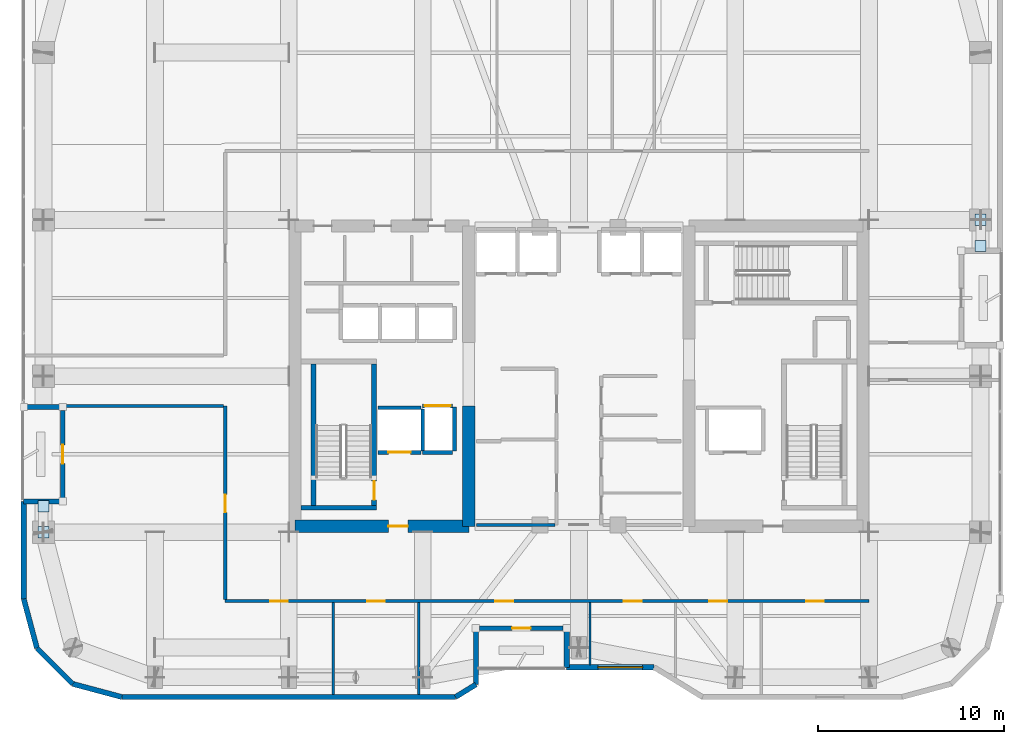
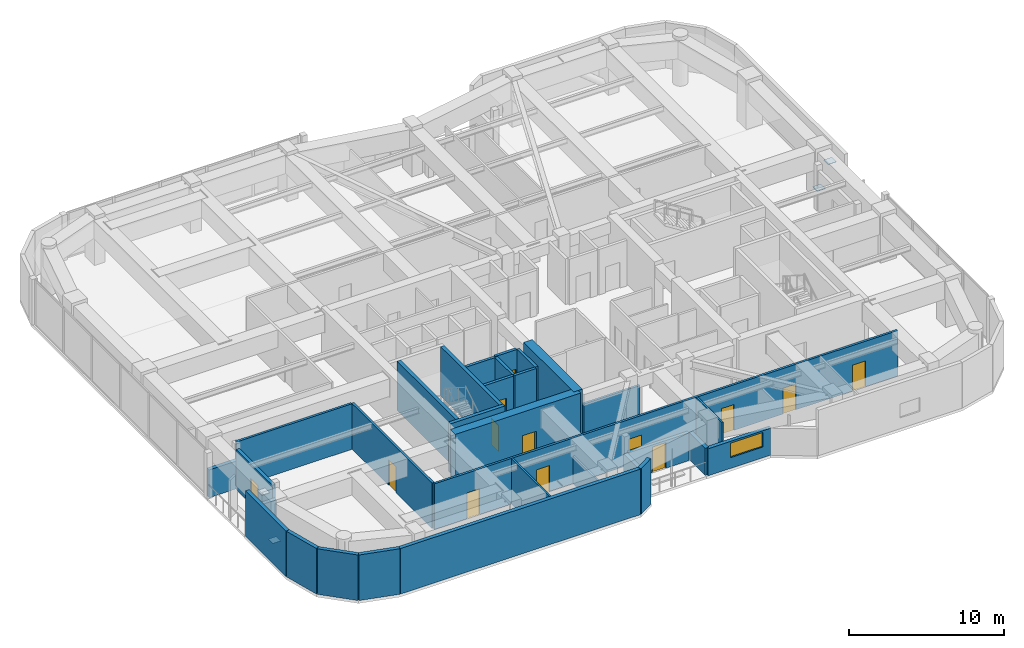
# One storey, part 24 of 30: 31 walls, 13 doors, 4 plates, 1 window, 14 openings.
"""IFC4 building model written with IfcOpenShell, lengths in metres."""

import ifcopenshell
import ifcopenshell.guid

model = None  # the IFC model being written
_history = None  # IfcOwnerHistory: only IFC2X3 demands one
_inside = {}  # id of a spatial element -> (the spatial element, [elements in it])
_under = {}  # id of a project, library or spatial element -> (it, [spatial elements below it])
_declared = {}  # id of a project -> (the project, [libraries it declares])
_typed = {}  # id of a type object -> (the type object, [elements of that type])
_made_of = {}  # id of a material, layer set ... -> (it, [elements and type objects made of it])


def new_model(schema):
    """Start an empty IFC model of exactly this schema.

    Asked for "IFC4X3", IfcOpenShell would pick the latest addendum, in which some entities
    have other attributes; the version numbers below select the first issue.
    IFC2X3 requires an IfcOwnerHistory on every rooted entity: one is made here for all.
    """
    global model, _history
    if schema == "IFC4X3":
        model = ifcopenshell.file(schema_version=(4, 3, 0, 0))
    else:
        model = ifcopenshell.file(schema=schema)
    _inside.clear()
    _under.clear()
    _declared.clear()
    _typed.clear()
    _made_of.clear()
    _history = None
    if model.schema == "IFC2X3":
        org = make("IfcOrganization", Name="unknown")
        user = make(
            "IfcPersonAndOrganization",
            ThePerson=make("IfcPerson", FamilyName="unknown"),
            TheOrganization=org,
        )
        app = make(
            "IfcApplication",
            ApplicationDeveloper=org,
            Version="unknown",
            ApplicationFullName="unknown",
            ApplicationIdentifier="unknown",
        )
        _history = make(
            "IfcOwnerHistory",
            OwningUser=user,
            OwningApplication=app,
            ChangeAction="ADDED",
            CreationDate=0,
        )
    return model


def make(cls, **values):
    """One entity of the class cls with the attributes given. An attribute that is None is left unset."""
    return model.create_entity(
        cls, **{name: value for name, value in values.items() if value is not None}
    )


def rooted(cls, **values):
    """An entity with a GlobalId (a new one), such as an element, a storey or a relation."""
    return make(cls, GlobalId=ifcopenshell.guid.new(), OwnerHistory=_history, **values)


def si_unit(unit_type, name, prefix=None):
    """IfcSIUnit, for example si_unit("LENGTHUNIT", "METRE", prefix="MILLI")."""
    return make("IfcSIUnit", UnitType=unit_type, Prefix=prefix, Name=name)


def assignment(units):
    """IfcUnitAssignment: the units of a project."""
    return None if units is None else make("IfcUnitAssignment", Units=units)


def point(xyz):
    """IfcCartesianPoint."""
    return None if xyz is None else make("IfcCartesianPoint", Coordinates=xyz)


def direction(xyz):
    """IfcDirection."""
    return None if xyz is None else make("IfcDirection", DirectionRatios=xyz)


def frame(location, z_axis=None, x_axis=None):
    """IfcAxis2Placement3D, a coordinate frame: its origin and axes. An axis left out is left unset."""
    return make(
        "IfcAxis2Placement3D",
        Location=point(location),
        Axis=direction(z_axis),
        RefDirection=direction(x_axis),
    )


def frame_2d(location, x_axis=None):
    """IfcAxis2Placement2D, a coordinate frame in the plane: its origin and x axis."""
    return make(
        "IfcAxis2Placement2D", Location=point(location), RefDirection=direction(x_axis)
    )


def origin():
    """The frame at (0, 0, 0) with its axes left unset."""
    return frame((0.0, 0.0, 0.0))


def origin_2d():
    """The frame at (0, 0) in the plane with its x axis left unset."""
    return frame_2d((0.0, 0.0))


def place(relative_to, where):
    """IfcLocalPlacement: puts the frame where relative to a parent placement (None: the world)."""
    return make(
        "IfcLocalPlacement", PlacementRelTo=relative_to, RelativePlacement=where
    )


def context(
    kind, dimensions, precision=None, world=None, true_north=None, identifier=None
):
    """IfcGeometricRepresentationContext, for example the 3D "Model" context."""
    return make(
        "IfcGeometricRepresentationContext",
        ContextIdentifier=identifier,
        ContextType=kind,
        CoordinateSpaceDimension=dimensions,
        Precision=precision,
        WorldCoordinateSystem=world,
        TrueNorth=true_north,
    )


def subcontext(parent, identifier, kind, view, scale=None):
    """IfcGeometricRepresentationSubContext, for example "Body" below "Model"."""
    return make(
        "IfcGeometricRepresentationSubContext",
        ContextIdentifier=identifier,
        ContextType=kind,
        ParentContext=parent,
        TargetScale=scale,
        TargetView=view,
    )


def project(units=None, contexts=None):
    """IfcProject with its units and contexts."""
    return rooted(
        "IfcProject",
        Name="project",
        RepresentationContexts=contexts,
        UnitsInContext=assignment(units),
    )


def spatial(cls, under=None, at=None, **own):
    """A site, building, storey or space (cls), placed at a placement, below another one or the project."""
    s = rooted(cls, ObjectPlacement=at, **own)
    if under is not None:
        _under.setdefault(under.id(), (under, []))[1].append(s)
    return s


def profile(cls, at=None, kind="AREA", **sizes):
    """A parametric profile (cls). Its sizes go by their IFC names, for example OverallWidth=200.0."""
    return make(cls, ProfileType=kind, Position=at, **sizes)


def rectangle(**sizes):
    """IfcRectangleProfileDef."""
    return profile("IfcRectangleProfileDef", **sizes)


def extrude(swept, where, along, depth):
    """IfcExtrudedAreaSolid: the profile swept, set in the frame where, extruded along a direction by depth."""
    return make(
        "IfcExtrudedAreaSolid",
        SweptArea=swept,
        Position=where,
        ExtrudedDirection=direction(along),
        Depth=depth,
    )


def shape(context_of_items, identifier, shape_type, items):
    """IfcShapeRepresentation: the items that make up one representation, for example the "Body"."""
    return make(
        "IfcShapeRepresentation",
        ContextOfItems=context_of_items,
        RepresentationIdentifier=identifier,
        RepresentationType=shape_type,
        Items=items,
    )


def material(Name=None, Category=None):
    """IfcMaterial."""
    return make("IfcMaterial", Name=Name, Category=Category)


def layer(
    of_material, thickness, ventilated=None, Name=None, Category=None, Priority=None
):
    """IfcMaterialLayer: one layer of a wall or slab, of a material (None: an air gap)."""
    return make(
        "IfcMaterialLayer",
        Material=of_material,
        LayerThickness=thickness,
        IsVentilated=ventilated,
        Name=Name,
        Category=Category,
        Priority=Priority,
    )


def layer_set(layers, Name=None):
    """IfcMaterialLayerSet."""
    return make("IfcMaterialLayerSet", MaterialLayers=layers, LayerSetName=Name)


def made_of(thing, what):
    """Note that an element or type object is made of a material, layer set ...; save() writes the relation."""
    if what is not None:
        _made_of.setdefault(what.id(), (what, []))[1].append(thing)
    return thing


def type_object(cls, material=None, **own):
    """A type object (cls), such as IfcWallType, which elements share."""
    return made_of(rooted(cls, **own), material)


def element(
    cls,
    number,
    at=None,
    inside=None,
    cuts=None,
    type_object=None,
    material=None,
    context=None,
    identifier="Body",
    shape_type=None,
    held_by="IfcProductDefinitionShape",
    body=None,
    shapes=None,
    **own,
):
    """One element of the class cls, such as IfcWall. Its Tag is "e" and its number.

    at: its placement. inside: the storey or other place that contains it. cuts: it is an
    opening in that element (IfcRelVoidsElement). A single representation is given by context,
    identifier, shape_type and body (its items); several are given by shapes. held_by: the class
    of the entity that holds the representations. save() writes the other relations.
    """
    e = rooted(cls, Tag="e%d" % number, ObjectPlacement=at, **own)
    if body is not None:
        shapes = [shape(context, identifier, shape_type, body)]
    if shapes is not None:
        e.Representation = make(held_by, Representations=shapes)
    if inside is not None:
        _inside.setdefault(inside.id(), (inside, []))[1].append(e)
    if cuts is not None:
        rooted(
            "IfcRelVoidsElement", RelatingBuildingElement=cuts, RelatedOpeningElement=e
        )
    if type_object is not None:
        _typed.setdefault(type_object.id(), (type_object, []))[1].append(e)
    return made_of(e, material)


def fill(opening, filler):
    """IfcRelFillsElement: the door or window that sits in an opening."""
    return rooted(
        "IfcRelFillsElement",
        RelatingOpeningElement=opening,
        RelatedBuildingElement=filler,
    )


def aggregate(whole, parts):
    """IfcRelAggregates: a whole, such as a stair, and the parts it consists of."""
    return rooted("IfcRelAggregates", RelatingObject=whole, RelatedObjects=parts)


def save(model, path):
    """Write the relations noted so far, then the file.

    IfcRelAggregates (storeys below a building ...), IfcRelContainedInSpatialStructure (elements
    in a storey), IfcRelDefinesByType, IfcRelAssociatesMaterial and IfcRelDeclares: one each for
    every whole, place, type object, material and project.
    """
    for whole, parts in _under.values():
        aggregate(whole, parts)
    for where, things in _inside.values():
        rooted(
            "IfcRelContainedInSpatialStructure",
            RelatedElements=things,
            RelatingStructure=where,
        )
    for kind, things in _typed.values():
        rooted("IfcRelDefinesByType", RelatedObjects=things, RelatingType=kind)
    for what, things in _made_of.values():
        rooted("IfcRelAssociatesMaterial", RelatedObjects=things, RelatingMaterial=what)
    for by, libraries in _declared.values():
        rooted("IfcRelDeclares", RelatingContext=by, RelatedDefinitions=libraries)
    model.write(path)


model = new_model("IFC4")

# Units and contexts
model_context = context("Model", 3, precision=1e-05, world=origin(), true_north=direction((0.0, 1.0)))
body_context = subcontext(model_context, "Body", "Model", "MODEL_VIEW")
ifc_project = project(units=[si_unit("LENGTHUNIT", "METRE"), si_unit("AREAUNIT", "SQUARE_METRE"), si_unit("VOLUMEUNIT", "CUBIC_METRE"), si_unit("PLANEANGLEUNIT", "RADIAN"), si_unit("MASSUNIT", "GRAM", prefix="KILO")], contexts=[model_context])

# Site, building, storey
site_placement = place(None, origin())
site = spatial("IfcSite", under=ifc_project, at=site_placement, CompositionType="ELEMENT")
building_placement = place(site_placement, origin())
building = spatial("IfcBuilding", under=site, at=building_placement, Name="Kiyonajd Concourse Tower", CompositionType="ELEMENT")
storey_placement = place(building_placement, frame((0.0, 0.0, 205.800048828125)))
storey = spatial("IfcBuildingStorey", under=building, at=storey_placement, Name="L52", CompositionType="ELEMENT", Elevation=205.800048828125)

# Plates
ifc_material_1 = material(Name="Steel ASTM A572 Grade 50", Category="steel")
ifc_layer_1 = layer(ifc_material_1, 0.028076171875)
ifc_layer_set_1 = layer_set([ifc_layer_1], Name="Steel ASTM A572 Grade 50")
plate_type = type_object("IfcPlateType", Name="PL-CAP-450", PredefinedType="USERDEFINED", material=ifc_layer_set_1)
for number, where, z_axis, x_axis, name in (
    (1, (19.199951171875, 27.59521484375, 0.27587890625), (0.0, 0.0, 1.0), (1.0, 0.0, 0.0), "L52 Hollow Brace End Cap Plate PBW"),
    (2, (19.199951171875, 29.004638671875, 3.24560546875), (0.0, 0.0, 1.0), (1.0, 0.0, 0.0), "L52 Hollow Brace Top Cap Plate PBW"),
    (3, (69.60009765625, 44.40478515625, 0.27587890625), (0.0, 0.0, 1.0), (1.0, 0.0, 0.0), "L52 Hollow Brace End Cap Plate PBE"),
    (4, (69.60009765625, 42.995361328125, 3.24560546875), (0.0, 0.0, 1.0), (1.0, 0.0, 0.0), "L52 Hollow Brace Top Cap Plate PBE"),
):
    element("IfcPlate", number, at=place(storey_placement, frame(where, z_axis=z_axis, x_axis=x_axis)), inside=storey, type_object=plate_type, Name=name, ObjectType="CAP PLATE", PredefinedType="USERDEFINED", context=body_context, shape_type="SweptSolid", body=[
        extrude(rectangle(XDim=0.60791015625, YDim=0.60791015625, at=origin_2d()), origin(), (0.0, 0.0, 1.0), 0.028076171875),
    ])

# Wall
ifc_material_2 = material(Name="Concrete C60/75", Category="concrete")
ifc_layer_2 = layer(ifc_material_2, 0.64990234375)
ifc_layer_set_2 = layer_set([ifc_layer_2], Name="Concrete C60/75")
wall_type_1 = type_object("IfcWallType", Name="WL-CORE-650", PredefinedType="SHEAR", material=ifc_layer_set_2)
wall_1_placement = place(storey_placement, frame((42.074951171875, 27.925048828125, 0.0), z_axis=(0.0, 0.0, 1.0), x_axis=(0.0, 1.0, 0.0)))
element("IfcWall", 5, at=wall_1_placement, inside=storey, type_object=wall_type_1, Name="L52 West Core Inner South Shear Wall", PredefinedType="SHEAR", context=body_context, shape_type="SweptSolid", body=[
    extrude(rectangle(XDim=6.474853515625, YDim=0.64990234375, at=frame_2d((3.2373046875, 0.0))), origin(), (0.0, 0.0, 1.0), 3.89990234375),
])

# Wall, opening, door
wall_2_placement = place(storey_placement, frame((32.72509765625, 27.925048828125, 0.0), z_axis=(0.0, 0.0, 1.0), x_axis=(1.0, 0.0, 0.0)))
wall_2 = element("IfcWall", 6, at=wall_2_placement, inside=storey, type_object=wall_type_1, Name="L52 West Core South Shear Wall", PredefinedType="SHEAR", context=body_context, shape_type="SweptSolid", body=[
    extrude(rectangle(XDim=9.349853515625, YDim=0.64990234375, at=frame_2d((4.6748046875, 0.0))), origin(), (0.0, 0.0, 1.0), 3.89990234375),
])
opening_1_placement = place(wall_2_placement, frame((5.02490234375, 0.0, 0.0)))
opening_1 = element("IfcOpeningElement", 7, at=opening_1_placement, cuts=wall_2, Name="Opening DF5", PredefinedType="OPENING", context=body_context, shape_type="SweptSolid", body=[
    extrude(rectangle(XDim=1.050048828125, YDim=2.0400390625, at=frame_2d((0.52490234375, 1.02001953125))), frame((0.0, 0.3349609375, 0.0), z_axis=(0.0, -1.0, 0.0), x_axis=(1.0, 0.0, 0.0)), (0.0, 0.0, 1.0), 0.669921875),
])
ifc_material_3 = material(Name="Brushed Stainless Steel Cab Assembly", Category="steel")
door_type_1 = type_object("IfcDoorType", Name="DR-FD45-1050", OperationType="NOTDEFINED", PredefinedType="DOOR", material=ifc_material_3)
door_1_placement = place(opening_1_placement, origin())
door_1 = element("IfcDoor", 8, at=door_1_placement, inside=storey, type_object=door_type_1, Name="L52 Firefighting Lift Lobby W Smoke Door", OperationType="SINGLE_SWING_LEFT", OverallHeight=2.0400390625, OverallWidth=1.050048828125, PredefinedType="DOOR", context=body_context, shape_type="SweptSolid", body=[
    extrude(rectangle(XDim=1.050048828125, YDim=2.0400390625, at=frame_2d((0.52490234375, 1.02001953125))), frame((0.0, 0.02490234375, 0.0), z_axis=(0.0, -1.0, 0.0), x_axis=(1.0, 0.0, 0.0)), (0.0, 0.0, 1.0), 0.050048828125),
])
fill(opening_1, door_1)

# Walls
ifc_material_4 = material(Name="Precast concrete C50/60", Category="concrete")
ifc_layer_3 = layer(ifc_material_4, 0.280029296875)
ifc_layer_set_3 = layer_set([ifc_layer_3], Name="Precast concrete C50/60")
wall_type_2 = type_object("IfcWallType", Name="WL-EXT-280", PredefinedType="SOLIDWALL", material=ifc_layer_set_3)
wall_3_placement = place(storey_placement, frame((18.848388671875, 21.37255859375, 0.0), z_axis=(0.0, 0.0, 1.0), x_axis=(-0.258672222976, 0.9659651552, 0.0)))
element("IfcWall", 9, at=wall_3_placement, inside=storey, type_object=wall_type_2, Name="L52 Exterior Concrete Frame Wall 00", PredefinedType="SOLIDWALL", context=body_context, shape_type="SweptSolid", body=[
    extrude(rectangle(XDim=2.739013671875, YDim=0.280029296875, at=frame_2d((1.36962890625, 0.0))), origin(), (0.0, 0.0, 1.0), 3.599853515625),
])
wall_4_placement = place(storey_placement, frame((18.139892578125, 24.018310546875, 0.0), z_axis=(0.0, 0.0, 1.0), x_axis=(0.0, 1.0, 0.0)))
element("IfcWall", 10, at=wall_4_placement, inside=storey, type_object=wall_type_2, Name="L52 Exterior Concrete Frame Wall 01", PredefinedType="SOLIDWALL", context=body_context, shape_type="SweptSolid", body=[
    extrude(rectangle(XDim=5.24169921875, YDim=0.280029296875, at=frame_2d((2.620849609375, 0.0))), origin(), (0.0, 0.0, 1.0), 3.599853515625),
])
for number, where, z_axis, x_axis, name in (
    (11, (18.139892578125, 29.260009765625, 0.0), (0.0, 0.0, 1.0), (1.0, 0.0, 0.0), "L52 Exterior Concrete Frame Wall 02"),
    (12, (20.239990234375, 34.340087890625, 0.0), (0.0, 0.0, 1.0), (-1.0, 0.0, 0.0), "L52 Exterior Concrete Frame Wall 04"),
):
    element("IfcWall", number, at=place(storey_placement, frame(where, z_axis=z_axis, x_axis=x_axis)), inside=storey, type_object=wall_type_2, Name=name, PredefinedType="SOLIDWALL", context=body_context, shape_type="SweptSolid", body=[
        extrude(rectangle(XDim=2.10009765625, YDim=0.280029296875, at=frame_2d((1.050048828125, 0.0))), origin(), (0.0, 0.0, 1.0), 2.195068359375),
    ])

# Wall, opening, window
wall_5_placement = place(storey_placement, frame((52.03955078125, 20.340087890625, 0.0), z_axis=(0.0, 0.0, 1.0), x_axis=(-1.0, 0.0, 0.0)))
wall_5 = element("IfcWall", 13, at=wall_5_placement, inside=storey, type_object=wall_type_2, Name="L52 Exterior Concrete Frame Wall 30", PredefinedType="SOLIDWALL", context=body_context, shape_type="SweptSolid", body=[
    extrude(rectangle(XDim=4.699462890625, YDim=0.280029296875, at=frame_2d((2.349609375, 0.0))), origin(), (0.0, 0.0, 1.0), 2.135009765625),
])
opening_2_placement = place(wall_5_placement, frame((0.6201171875, 0.0, 0.85009765625)))
opening_2 = element("IfcOpeningElement", 14, at=opening_2_placement, cuts=wall_5, Name="Opening WN4", PredefinedType="OPENING", context=body_context, shape_type="SweptSolid", body=[
    extrude(rectangle(XDim=2.39990234375, YDim=1.14990234375, at=frame_2d((1.199951171875, 0.574951171875))), frame((0.0, 0.14990234375, 0.0), z_axis=(0.0, -1.0, 0.0), x_axis=(1.0, 0.0, 0.0)), (0.0, 0.0, 1.0), 0.300048828125),
])
ifc_material_5 = material(Name="Double Low-E Insulated Glass", Category="glass")
window_type = type_object("IfcWindowType", Name="WN-VIS-2400x1150", PartitioningType="SINGLE_PANEL", PredefinedType="WINDOW", material=ifc_material_5)
window_placement = place(opening_2_placement, origin())
window = element("IfcWindow", 15, at=window_placement, inside=storey, type_object=window_type, Name="L52 Modular Facade Vision Window 30", OverallHeight=1.14990234375, OverallWidth=2.39990234375, PartitioningType="SINGLE_PANEL", PredefinedType="WINDOW", context=body_context, shape_type="SweptSolid", body=[
    extrude(rectangle(XDim=2.39990234375, YDim=1.14990234375, at=frame_2d((1.199951171875, 0.574951171875))), frame((0.0, 0.030029296875, 0.0), z_axis=(0.0, -1.0, 0.0), x_axis=(1.0, 0.0, 0.0)), (0.0, 0.0, 1.0), 0.06005859375),
])
fill(opening_2, window)

# Walls
wall_6_placement = place(storey_placement, frame((47.340087890625, 20.340087890625, 0.0), z_axis=(0.0, 0.0, 1.0), x_axis=(0.0, 1.0, 0.0)))
element("IfcWall", 16, at=wall_6_placement, inside=storey, type_object=wall_type_2, Name="L52 Exterior Concrete Frame Wall 31", PredefinedType="SOLIDWALL", context=body_context, shape_type="SweptSolid", body=[
    extrude(rectangle(XDim=2.099853515625, YDim=0.280029296875, at=frame_2d((1.0498046875, 0.0))), origin(), (0.0, 0.0, 1.0), 2.135009765625),
])
wall_7_placement = place(storey_placement, frame((42.4599609375, 22.43994140625, 0.0), z_axis=(0.0, 0.0, 1.0), x_axis=(0.0, -1.0, 0.0)))
element("IfcWall", 17, at=wall_7_placement, inside=storey, type_object=wall_type_2, Name="L52 Exterior Concrete Frame Wall 33", PredefinedType="SOLIDWALL", context=body_context, shape_type="SweptSolid", body=[
    extrude(rectangle(XDim=3.023681640625, YDim=0.280029296875, at=frame_2d((1.51171875, 0.0))), origin(), (0.0, 0.0, 1.0), 2.135009765625),
])
wall_8_placement = place(storey_placement, frame((42.4599609375, 19.416259765625, 0.0), z_axis=(0.0, 0.0, 1.0), x_axis=(-0.851801140441, -0.523865266212, 0.0)))
element("IfcWall", 18, at=wall_8_placement, inside=storey, type_object=wall_type_2, Name="L52 Exterior Concrete Frame Wall 34", PredefinedType="SOLIDWALL", context=body_context, shape_type="SweptSolid", body=[
    extrude(rectangle(XDim=1.291015625, YDim=0.280029296875, at=frame_2d((0.6455078125, 0.0))), origin(), (0.0, 0.0, 1.0), 3.599853515625),
])
wall_9_placement = place(storey_placement, frame((41.3603515625, 18.739990234375, 0.0), z_axis=(0.0, 0.0, 1.0), x_axis=(-1.0, 0.0, 0.0)))
element("IfcWall", 19, at=wall_9_placement, inside=storey, type_object=wall_type_2, Name="L52 Exterior Concrete Frame Wall 35", PredefinedType="SOLIDWALL", context=body_context, shape_type="SweptSolid", body=[
    extrude(rectangle(XDim=17.94189453125, YDim=0.280029296875, at=frame_2d((8.970947265625, 0.0))), origin(), (0.0, 0.0, 1.0), 3.599853515625),
])
wall_10_placement = place(storey_placement, frame((23.41845703125, 18.739990234375, 0.0), z_axis=(0.0, 0.0, 1.0), x_axis=(-0.965971118627, 0.258649952598, 0.0)))
element("IfcWall", 20, at=wall_10_placement, inside=storey, type_object=wall_type_2, Name="L52 Exterior Concrete Frame Wall 36", PredefinedType="SOLIDWALL", context=body_context, shape_type="SweptSolid", body=[
    extrude(rectangle(XDim=2.7392578125, YDim=0.280029296875, at=frame_2d((1.36962890625, 0.0))), origin(), (0.0, 0.0, 1.0), 3.599853515625),
])
wall_11_placement = place(storey_placement, frame((20.7724609375, 19.448486328125, 0.0), z_axis=(0.0, 0.0, 1.0), x_axis=(-0.707106781187, 0.707106781187, 0.0)))
element("IfcWall", 21, at=wall_11_placement, inside=storey, type_object=wall_type_2, Name="L52 Exterior Concrete Frame Wall 37", PredefinedType="SOLIDWALL", context=body_context, shape_type="SweptSolid", body=[
    extrude(rectangle(XDim=2.720947265625, YDim=0.280029296875, at=frame_2d((1.3603515625, 0.0))), origin(), (0.0, 0.0, 1.0), 3.599853515625),
])

# Wall, opening, door
ifc_layer_4 = layer(ifc_material_4, 0.239990234375)
ifc_layer_set_4 = layer_set([ifc_layer_4], Name="Precast concrete C50/60")
wall_type_3 = type_object("IfcWallType", Name="WL-LOG-240", PredefinedType="SOLIDWALL", material=ifc_layer_set_4)
wall_12_placement = place(storey_placement, frame((20.239990234375, 29.455078125, 0.0), z_axis=(0.0, 0.0, 1.0), x_axis=(0.0, 1.0, 0.0)))
wall_12 = element("IfcWall", 22, at=wall_12_placement, inside=storey, type_object=wall_type_3, Name="L52 Recessed Loggia Thermal Wall LOG-W", PredefinedType="SOLIDWALL", context=body_context, shape_type="SweptSolid", body=[
    extrude(rectangle(XDim=4.68994140625, YDim=0.239990234375, at=frame_2d((2.344970703125, 0.0))), origin(), (0.0, 0.0, 1.0), 3.16796875),
])
opening_3_placement = place(wall_12_placement, frame((1.844970703125, 0.0, 0.0)))
opening_3 = element("IfcOpeningElement", 23, at=opening_3_placement, cuts=wall_12, Name="Opening DL1", PredefinedType="OPENING", context=body_context, shape_type="SweptSolid", body=[
    extrude(rectangle(XDim=1.0, YDim=2.02001953125, at=frame_2d((0.5, 1.010009765625))), frame((0.0, 0.1298828125, 0.0), z_axis=(0.0, -1.0, 0.0), x_axis=(1.0, 0.0, 0.0)), (0.0, 0.0, 1.0), 0.260009765625),
])
ifc_material_6 = material(Name="Thermally Broken Anodised Aluminium", Category="aluminium")
door_type_2 = type_object("IfcDoorType", Name="DR-LOG-1000", OperationType="NOTDEFINED", PredefinedType="DOOR", material=ifc_material_6)
door_2_placement = place(opening_3_placement, origin())
door_2 = element("IfcDoor", 24, at=door_2_placement, inside=storey, type_object=door_type_2, Name="L52 Engawa Loggia Access Door LOG-W", OperationType="SINGLE_SWING_LEFT", OverallHeight=2.02001953125, OverallWidth=1.0, PredefinedType="DOOR", context=body_context, shape_type="SweptSolid", body=[
    extrude(rectangle(XDim=1.0, YDim=2.02001953125, at=frame_2d((0.5, 1.010009765625))), frame((0.0, 0.02490234375, 0.0), z_axis=(0.0, -1.0, 0.0), x_axis=(1.0, 0.0, 0.0)), (0.0, 0.0, 1.0), 0.050048828125),
])
fill(opening_3, door_2)

wall_13_placement = place(storey_placement, frame((47.14501953125, 22.43994140625, 0.0), z_axis=(0.0, 0.0, 1.0), x_axis=(-1.0, 0.0, 0.0)))
wall_13 = element("IfcWall", 25, at=wall_13_placement, inside=storey, type_object=wall_type_3, Name="L52 Recessed Loggia Thermal Wall LOG-S", PredefinedType="SOLIDWALL", context=body_context, shape_type="SweptSolid", body=[
    extrude(rectangle(XDim=4.489990234375, YDim=0.239990234375, at=frame_2d((2.2451171875, 0.0))), origin(), (0.0, 0.0, 1.0), 2.18505859375),
])
opening_4_placement = place(wall_13_placement, frame((1.7451171875, 0.0, 0.0)))
opening_4 = element("IfcOpeningElement", 26, at=opening_4_placement, cuts=wall_13, Name="Opening DL1", PredefinedType="OPENING", context=body_context, shape_type="SweptSolid", body=[
    extrude(rectangle(XDim=1.0, YDim=2.02001953125, at=frame_2d((0.5, 1.010009765625))), frame((0.0, 0.1298828125, 0.0), z_axis=(0.0, -1.0, 0.0), x_axis=(1.0, 0.0, 0.0)), (0.0, 0.0, 1.0), 0.260009765625),
])
door_3_placement = place(opening_4_placement, origin())
door_3 = element("IfcDoor", 27, at=door_3_placement, inside=storey, type_object=door_type_2, Name="L52 Engawa Loggia Access Door LOG-S", OperationType="SINGLE_SWING_RIGHT", OverallHeight=2.02001953125, OverallWidth=1.0, PredefinedType="DOOR", context=body_context, shape_type="SweptSolid", body=[
    extrude(rectangle(XDim=1.0, YDim=2.02001953125, at=frame_2d((0.5, 1.010009765625))), frame((0.0, 0.02490234375, 0.0), z_axis=(0.0, -1.0, 0.0), x_axis=(1.0, 0.0, 0.0)), (0.0, 0.0, 1.0), 0.050048828125),
])
fill(opening_4, door_3)

# Walls
ifc_material_7 = material(Name="Gypsum Board on Cold-Formed Steel Stud", Category="steel")
ifc_layer_5 = layer(ifc_material_7, 0.125)
ifc_layer_set_5 = layer_set([ifc_layer_5], Name="Gypsum Board on Cold-Formed Steel Stud")
wall_type_4 = type_object("IfcWallType", Name="WL-PART-125", PredefinedType="PARTITIONING", material=ifc_layer_set_5)
wall_14_placement = place(storey_placement, frame((34.780029296875, 18.875, 0.0), z_axis=(0.0, 0.0, 1.0), x_axis=(0.0, 1.0, 0.0)))
element("IfcWall", 28, at=wall_14_placement, inside=storey, type_object=wall_type_4, Name="L52 Interior Partition Wall", PredefinedType="PARTITIONING", context=body_context, shape_type="SweptSolid", body=[
    extrude(rectangle(XDim=4.93798828125, YDim=0.125, at=frame_2d((2.468994140625, 0.0))), origin(), (0.0, 0.0, 1.0), 3.599853515625),
])
wall_15_placement = place(storey_placement, frame((39.3798828125, 18.875, 0.0), z_axis=(0.0, 0.0, 1.0), x_axis=(0.0, 1.0, 0.0)))
element("IfcWall", 29, at=wall_15_placement, inside=storey, type_object=wall_type_4, Name="L52 Interior Partition Wall", PredefinedType="PARTITIONING", context=body_context, shape_type="SweptSolid", body=[
    extrude(rectangle(XDim=4.93798828125, YDim=0.125, at=frame_2d((2.468994140625, 0.0))), origin(), (0.0, 0.0, 1.0), 2.18505859375),
])
wall_16_placement = place(storey_placement, frame((48.590087890625, 20.47509765625, 0.0), z_axis=(0.0, 0.0, 1.0), x_axis=(0.0, 1.0, 0.0)))
element("IfcWall", 30, at=wall_16_placement, inside=storey, type_object=wall_type_4, Name="L52 Interior Partition Wall", PredefinedType="PARTITIONING", context=body_context, shape_type="SweptSolid", body=[
    extrude(rectangle(XDim=3.337890625, YDim=0.125, at=frame_2d((1.6689453125, 0.0))), origin(), (0.0, 0.0, 1.0), 3.599853515625),
])

# Wall, opening, door
ifc_layer_6 = layer(ifc_material_7, 0.2099609375)
ifc_layer_set_6 = layer_set([ifc_layer_6], Name="Gypsum Board on Cold-Formed Steel Stud")
wall_type_5 = type_object("IfcWallType", Name="WL-SHAFT-210", PredefinedType="PARTITIONING", material=ifc_layer_set_6)
wall_17_placement = place(storey_placement, frame((37.199951171875, 31.89990234375, 0.0), z_axis=(0.0, 0.0, 1.0), x_axis=(1.0, 0.0, 0.0)))
wall_17 = element("IfcWall", 31, at=wall_17_placement, inside=storey, type_object=wall_type_5, Name="L52 Shaft Enclosure Wall", PredefinedType="PARTITIONING", context=body_context, shape_type="SweptSolid", body=[
    extrude(rectangle(XDim=2.300048828125, YDim=0.2099609375, at=frame_2d((1.14990234375, 0.0))), origin(), (0.0, 0.0, 1.0), 3.599853515625),
])
opening_5_placement = place(wall_17_placement, frame((0.550048828125, 0.0, 0.0)))
opening_5 = element("IfcOpeningElement", 32, at=opening_5_placement, cuts=wall_17, Name="Opening LD2", PredefinedType="OPENING", context=body_context, shape_type="SweptSolid", body=[
    extrude(rectangle(XDim=1.199951171875, YDim=2.0400390625, at=frame_2d((0.60009765625, 1.02001953125))), frame((0.0, 0.114990234375, 0.0), z_axis=(0.0, -1.0, 0.0), x_axis=(1.0, 0.0, 0.0)), (0.0, 0.0, 1.0), 0.22998046875),
])
door_type_3 = type_object("IfcDoorType", Name="DR-LD-1200", OperationType="DOUBLE_DOOR_SLIDING", PredefinedType="DOOR", material=ifc_material_3)
door_4_placement = place(opening_5_placement, origin())
door_4 = element("IfcDoor", 33, at=door_4_placement, inside=storey, type_object=door_type_3, Name="L52 Lift FFL1 Sliding Landing Door", OperationType="DOUBLE_DOOR_SLIDING", OverallHeight=2.0400390625, OverallWidth=1.199951171875, PredefinedType="DOOR", context=body_context, shape_type="SweptSolid", body=[
    extrude(rectangle(XDim=1.199951171875, YDim=2.0400390625, at=frame_2d((0.60009765625, 1.02001953125))), frame((0.0, 0.02490234375, 0.0), z_axis=(0.0, -1.0, 0.0), x_axis=(1.0, 0.0, 0.0)), (0.0, 0.0, 1.0), 0.050048828125),
])
fill(opening_5, door_4)

# Walls
wall_18_placement = place(storey_placement, frame((37.199951171875, 34.300048828125, 0.0), z_axis=(0.0, 0.0, 1.0), x_axis=(1.0, 0.0, 0.0)))
element("IfcWall", 34, at=wall_18_placement, inside=storey, type_object=wall_type_5, Name="L52 Shaft Enclosure Wall", PredefinedType="PARTITIONING", context=body_context, shape_type="SweptSolid", body=[
    extrude(rectangle(XDim=2.300048828125, YDim=0.2099609375, at=frame_2d((1.14990234375, 0.0))), origin(), (0.0, 0.0, 1.0), 3.599853515625),
])
wall_19_placement = place(storey_placement, frame((39.60009765625, 31.9599609375, 0.0), z_axis=(0.0, 0.0, 1.0), x_axis=(0.0, 1.0, 0.0)))
element("IfcWall", 35, at=wall_19_placement, inside=storey, type_object=wall_type_5, Name="L52 Shaft Enclosure Wall", PredefinedType="PARTITIONING", context=body_context, shape_type="SweptSolid", body=[
    extrude(rectangle(XDim=2.280029296875, YDim=0.2099609375, at=frame_2d((1.14013671875, 0.0))), origin(), (0.0, 0.0, 1.0), 3.599853515625),
])

# Wall, opening, door
wall_20_placement = place(storey_placement, frame((39.60009765625, 34.39990234375, 0.0), z_axis=(0.0, 0.0, 1.0), x_axis=(1.0, 0.0, 0.0)))
wall_20 = element("IfcWall", 36, at=wall_20_placement, inside=storey, type_object=wall_type_5, Name="L52 Shaft Enclosure Wall", PredefinedType="PARTITIONING", context=body_context, shape_type="SweptSolid", body=[
    extrude(rectangle(XDim=1.599853515625, YDim=0.2099609375, at=frame_2d((0.7998046875, 0.0))), origin(), (0.0, 0.0, 1.0), 3.599853515625),
])
opening_6_placement = place(wall_20_placement, frame((0.10009765625, 0.0, 0.0)))
opening_6 = element("IfcOpeningElement", 37, at=opening_6_placement, cuts=wall_20, Name="Opening LD3", PredefinedType="OPENING", context=body_context, shape_type="SweptSolid", body=[
    extrude(rectangle(XDim=1.39990234375, YDim=2.06005859375, at=frame_2d((0.699951171875, 1.030029296875))), frame((0.0, 0.114990234375, 0.0), z_axis=(0.0, -1.0, 0.0), x_axis=(1.0, 0.0, 0.0)), (0.0, 0.0, 1.0), 0.22998046875),
])
door_type_4 = type_object("IfcDoorType", Name="DR-LD-1400", OperationType="DOUBLE_DOOR_SLIDING", PredefinedType="DOOR", material=ifc_material_3)
door_5_placement = place(opening_6_placement, origin())
door_5 = element("IfcDoor", 38, at=door_5_placement, inside=storey, type_object=door_type_4, Name="L52 Lift SVL1 Sliding Landing Door", OperationType="DOUBLE_DOOR_SLIDING", OverallHeight=2.06005859375, OverallWidth=1.39990234375, PredefinedType="DOOR", context=body_context, shape_type="SweptSolid", body=[
    extrude(rectangle(XDim=1.39990234375, YDim=2.06005859375, at=frame_2d((0.699951171875, 1.030029296875))), frame((0.0, 0.02490234375, 0.0), z_axis=(0.0, -1.0, 0.0), x_axis=(1.0, 0.0, 0.0)), (0.0, 0.0, 1.0), 0.050048828125),
])
fill(opening_6, door_5)

# Walls
wall_21_placement = place(storey_placement, frame((39.60009765625, 31.89990234375, 0.0), z_axis=(0.0, 0.0, 1.0), x_axis=(1.0, 0.0, 0.0)))
element("IfcWall", 39, at=wall_21_placement, inside=storey, type_object=wall_type_5, Name="L52 Shaft Enclosure Wall", PredefinedType="PARTITIONING", context=body_context, shape_type="SweptSolid", body=[
    extrude(rectangle(XDim=1.599853515625, YDim=0.2099609375, at=frame_2d((0.7998046875, 0.0))), origin(), (0.0, 0.0, 1.0), 3.599853515625),
])
wall_22_placement = place(storey_placement, frame((41.300048828125, 31.9599609375, 0.0), z_axis=(0.0, 0.0, 1.0), x_axis=(0.0, 1.0, 0.0)))
element("IfcWall", 40, at=wall_22_placement, inside=storey, type_object=wall_type_5, Name="L52 Shaft Enclosure Wall", PredefinedType="PARTITIONING", context=body_context, shape_type="SweptSolid", body=[
    extrude(rectangle(XDim=2.380126953125, YDim=0.2099609375, at=frame_2d((1.18994140625, 0.0))), origin(), (0.0, 0.0, 1.0), 3.599853515625),
])
ifc_layer_7 = layer(ifc_material_7, 0.169921875)
ifc_layer_set_7 = layer_set([ifc_layer_7], Name="Gypsum Board on Cold-Formed Steel Stud")
wall_type_6 = type_object("IfcWallType", Name="WL-SMK-170", PredefinedType="PARTITIONING", material=ifc_layer_set_7)
wall_23_placement = place(storey_placement, frame((42.5, 28.0, 0.0), z_axis=(0.0, 0.0, 1.0), x_axis=(1.0, 0.0, 0.0)))
element("IfcWall", 41, at=wall_23_placement, inside=storey, type_object=wall_type_6, Name="L52 Interior Partition Wall", PredefinedType="PARTITIONING", context=body_context, shape_type="SweptSolid", body=[
    extrude(rectangle(XDim=4.212890625, YDim=0.169921875, at=frame_2d((2.1064453125, 0.0))), origin(), (0.0, 0.0, 1.0), 2.68505859375),
])

# Wall, openings, doors
wall_24_placement = place(storey_placement, frame((28.97509765625, 23.89990234375, 0.0), z_axis=(0.0, 0.0, 1.0), x_axis=(1.0, 0.0, 0.0)))
wall_24 = element("IfcWall", 42, at=wall_24_placement, inside=storey, type_object=wall_type_6, Name="L52 Interior Partition Wall", PredefinedType="PARTITIONING", context=body_context, shape_type="SweptSolid", body=[
    extrude(rectangle(XDim=34.625, YDim=0.169921875, at=frame_2d((17.3125, 0.0))), origin(), (0.0, 0.0, 1.0), 3.599853515625),
])
opening_7_placement = place(wall_24_placement, frame((2.427001953125, 0.0, 0.0)))
opening_7 = element("IfcOpeningElement", 43, at=opening_7_placement, cuts=wall_24, Name="Opening DI1", PredefinedType="OPENING", context=body_context, shape_type="SweptSolid", body=[
    extrude(rectangle(XDim=0.949951171875, YDim=2.0400390625, at=frame_2d((0.47509765625, 1.02001953125))), frame((0.0, 0.094970703125, 0.0), z_axis=(0.0, -1.0, 0.0), x_axis=(1.0, 0.0, 0.0)), (0.0, 0.0, 1.0), 0.18994140625),
])
opening_8_placement = place(wall_24_placement, frame((7.6298828125, 0.0, 0.0)))
opening_8 = element("IfcOpeningElement", 44, at=opening_8_placement, cuts=wall_24, Name="Opening DI1", PredefinedType="OPENING", context=body_context, shape_type="SweptSolid", body=[
    extrude(rectangle(XDim=0.949951171875, YDim=2.0400390625, at=frame_2d((0.47509765625, 1.02001953125))), frame((0.0, 0.094970703125, 0.0), z_axis=(0.0, -1.0, 0.0), x_axis=(1.0, 0.0, 0.0)), (0.0, 0.0, 1.0), 0.18994140625),
])
opening_9_placement = place(wall_24_placement, frame((14.534912109375, 0.0, 0.0)))
opening_9 = element("IfcOpeningElement", 45, at=opening_9_placement, cuts=wall_24, Name="Opening DI1", PredefinedType="OPENING", context=body_context, shape_type="SweptSolid", body=[
    extrude(rectangle(XDim=0.949951171875, YDim=2.0400390625, at=frame_2d((0.47509765625, 1.02001953125))), frame((0.0, 0.094970703125, 0.0), z_axis=(0.0, -1.0, 0.0), x_axis=(1.0, 0.0, 0.0)), (0.0, 0.0, 1.0), 0.18994140625),
])
opening_10_placement = place(wall_24_placement, frame((21.43994140625, 0.0, 0.0)))
opening_10 = element("IfcOpeningElement", 46, at=opening_10_placement, cuts=wall_24, Name="Opening DI1", PredefinedType="OPENING", context=body_context, shape_type="SweptSolid", body=[
    extrude(rectangle(XDim=0.949951171875, YDim=2.0400390625, at=frame_2d((0.47509765625, 1.02001953125))), frame((0.0, 0.094970703125, 0.0), z_axis=(0.0, -1.0, 0.0), x_axis=(1.0, 0.0, 0.0)), (0.0, 0.0, 1.0), 0.18994140625),
])
opening_11_placement = place(wall_24_placement, frame((26.044921875, 0.0, 0.0)))
opening_11 = element("IfcOpeningElement", 47, at=opening_11_placement, cuts=wall_24, Name="Opening DI1", PredefinedType="OPENING", context=body_context, shape_type="SweptSolid", body=[
    extrude(rectangle(XDim=0.949951171875, YDim=2.0400390625, at=frame_2d((0.47509765625, 1.02001953125))), frame((0.0, 0.094970703125, 0.0), z_axis=(0.0, -1.0, 0.0), x_axis=(1.0, 0.0, 0.0)), (0.0, 0.0, 1.0), 0.18994140625),
])
opening_12_placement = place(wall_24_placement, frame((31.25, 0.0, 0.0)))
opening_12 = element("IfcOpeningElement", 48, at=opening_12_placement, cuts=wall_24, Name="Opening DI1", PredefinedType="OPENING", context=body_context, shape_type="SweptSolid", body=[
    extrude(rectangle(XDim=0.949951171875, YDim=2.0400390625, at=frame_2d((0.47509765625, 1.02001953125))), frame((0.0, 0.094970703125, 0.0), z_axis=(0.0, -1.0, 0.0), x_axis=(1.0, 0.0, 0.0)), (0.0, 0.0, 1.0), 0.18994140625),
])
ifc_material_8 = material(Name="Natural Oak Acoustic Timber Veneer", Category="wood")
door_type_5 = type_object("IfcDoorType", Name="DR-INT-950", OperationType="NOTDEFINED", PredefinedType="DOOR", material=ifc_material_8)
door_6_placement = place(opening_7_placement, origin())
door_6 = element("IfcDoor", 49, at=door_6_placement, inside=storey, type_object=door_type_5, Name="L52 Interior Door", OperationType="SINGLE_SWING_RIGHT", OverallHeight=2.0400390625, OverallWidth=0.949951171875, PredefinedType="DOOR", context=body_context, shape_type="SweptSolid", body=[
    extrude(rectangle(XDim=0.949951171875, YDim=2.0400390625, at=frame_2d((0.47509765625, 1.02001953125))), frame((0.0, 0.02490234375, 0.0), z_axis=(0.0, -1.0, 0.0), x_axis=(1.0, 0.0, 0.0)), (0.0, 0.0, 1.0), 0.050048828125),
])
fill(opening_7, door_6)
door_7_placement = place(opening_8_placement, origin())
door_7 = element("IfcDoor", 50, at=door_7_placement, inside=storey, type_object=door_type_5, Name="L52 Interior Door", OperationType="SINGLE_SWING_LEFT", OverallHeight=2.0400390625, OverallWidth=0.949951171875, PredefinedType="DOOR", context=body_context, shape_type="SweptSolid", body=[
    extrude(rectangle(XDim=0.949951171875, YDim=2.0400390625, at=frame_2d((0.47509765625, 1.02001953125))), frame((0.0, 0.02490234375, 0.0), z_axis=(0.0, -1.0, 0.0), x_axis=(1.0, 0.0, 0.0)), (0.0, 0.0, 1.0), 0.050048828125),
])
fill(opening_8, door_7)
door_8_placement = place(opening_9_placement, origin())
door_8 = element("IfcDoor", 51, at=door_8_placement, inside=storey, type_object=door_type_5, Name="L52 Interior Door", OperationType="SINGLE_SWING_RIGHT", OverallHeight=2.0400390625, OverallWidth=0.949951171875, PredefinedType="DOOR", context=body_context, shape_type="SweptSolid", body=[
    extrude(rectangle(XDim=0.949951171875, YDim=2.0400390625, at=frame_2d((0.47509765625, 1.02001953125))), frame((0.0, 0.02490234375, 0.0), z_axis=(0.0, -1.0, 0.0), x_axis=(1.0, 0.0, 0.0)), (0.0, 0.0, 1.0), 0.050048828125),
])
fill(opening_9, door_8)
door_9_placement = place(opening_10_placement, origin())
door_9 = element("IfcDoor", 52, at=door_9_placement, inside=storey, type_object=door_type_5, Name="L52 Interior Door", OperationType="SINGLE_SWING_LEFT", OverallHeight=2.0400390625, OverallWidth=0.949951171875, PredefinedType="DOOR", context=body_context, shape_type="SweptSolid", body=[
    extrude(rectangle(XDim=0.949951171875, YDim=2.0400390625, at=frame_2d((0.47509765625, 1.02001953125))), frame((0.0, 0.02490234375, 0.0), z_axis=(0.0, -1.0, 0.0), x_axis=(1.0, 0.0, 0.0)), (0.0, 0.0, 1.0), 0.050048828125),
])
fill(opening_10, door_9)
door_10_placement = place(opening_11_placement, origin())
door_10 = element("IfcDoor", 53, at=door_10_placement, inside=storey, type_object=door_type_5, Name="L52 Interior Door", OperationType="SINGLE_SWING_RIGHT", OverallHeight=2.0400390625, OverallWidth=0.949951171875, PredefinedType="DOOR", context=body_context, shape_type="SweptSolid", body=[
    extrude(rectangle(XDim=0.949951171875, YDim=2.0400390625, at=frame_2d((0.47509765625, 1.02001953125))), frame((0.0, 0.02490234375, 0.0), z_axis=(0.0, -1.0, 0.0), x_axis=(1.0, 0.0, 0.0)), (0.0, 0.0, 1.0), 0.050048828125),
])
fill(opening_11, door_10)
door_11_placement = place(opening_12_placement, origin())
door_11 = element("IfcDoor", 54, at=door_11_placement, inside=storey, type_object=door_type_5, Name="L52 Interior Door", OperationType="SINGLE_SWING_LEFT", OverallHeight=2.0400390625, OverallWidth=0.949951171875, PredefinedType="DOOR", context=body_context, shape_type="SweptSolid", body=[
    extrude(rectangle(XDim=0.949951171875, YDim=2.0400390625, at=frame_2d((0.47509765625, 1.02001953125))), frame((0.0, 0.02490234375, 0.0), z_axis=(0.0, -1.0, 0.0), x_axis=(1.0, 0.0, 0.0)), (0.0, 0.0, 1.0), 0.050048828125),
])
fill(opening_12, door_11)

# Wall, opening, door
wall_25_placement = place(storey_placement, frame((28.97509765625, 23.987060546875, 0.0), z_axis=(0.0, 0.0, 1.0), x_axis=(0.0, 1.0, 0.0)))
wall_25 = element("IfcWall", 55, at=wall_25_placement, inside=storey, type_object=wall_type_6, Name="L52 Interior Partition Wall", PredefinedType="PARTITIONING", context=body_context, shape_type="SweptSolid", body=[
    extrude(rectangle(XDim=10.412841796875, YDim=0.169921875, at=frame_2d((5.20654296875, 0.0))), origin(), (0.0, 0.0, 1.0), 3.599853515625),
])
opening_13_placement = place(wall_25_placement, frame((4.68798828125, 0.0, 0.0)))
opening_13 = element("IfcOpeningElement", 56, at=opening_13_placement, cuts=wall_25, Name="Opening DI1", PredefinedType="OPENING", context=body_context, shape_type="SweptSolid", body=[
    extrude(rectangle(XDim=0.949951171875, YDim=2.0400390625, at=frame_2d((0.47509765625, 1.02001953125))), frame((0.0, 0.094970703125, 0.0), z_axis=(0.0, -1.0, 0.0), x_axis=(1.0, 0.0, 0.0)), (0.0, 0.0, 1.0), 0.18994140625),
])
door_12_placement = place(opening_13_placement, origin())
door_12 = element("IfcDoor", 57, at=door_12_placement, inside=storey, type_object=door_type_5, Name="L52 Interior Door", OperationType="SINGLE_SWING_RIGHT", OverallHeight=2.0400390625, OverallWidth=0.949951171875, PredefinedType="DOOR", context=body_context, shape_type="SweptSolid", body=[
    extrude(rectangle(XDim=0.949951171875, YDim=2.0400390625, at=frame_2d((0.47509765625, 1.02001953125))), frame((0.0, 0.02490234375, 0.0), z_axis=(0.0, -1.0, 0.0), x_axis=(1.0, 0.0, 0.0)), (0.0, 0.0, 1.0), 0.050048828125),
])
fill(opening_13, door_12)

# Walls
wall_26_placement = place(storey_placement, frame((20.239990234375, 34.39990234375, 0.0), z_axis=(0.0, 0.0, 1.0), x_axis=(1.0, 0.0, 0.0)))
element("IfcWall", 58, at=wall_26_placement, inside=storey, type_object=wall_type_6, Name="L52 Interior Partition Wall", PredefinedType="PARTITIONING", context=body_context, shape_type="SweptSolid", body=[
    extrude(rectangle(XDim=8.64794921875, YDim=0.169921875, at=frame_2d((4.323974609375, 0.0))), origin(), (0.0, 0.0, 1.0), 3.599853515625),
])
ifc_material_9 = material(Name="Concrete C50/60", Category="concrete")
ifc_layer_8 = layer(ifc_material_9, 0.260009765625)
ifc_layer_set_8 = layer_set([ifc_layer_8], Name="Concrete C50/60")
wall_type_7 = type_object("IfcWallType", Name="WL-STAIR-260", PredefinedType="SHEAR", material=ifc_layer_set_8)
wall_27_placement = place(storey_placement, frame((33.050048828125, 28.919921875, 0.0), z_axis=(0.0, 0.0, 1.0), x_axis=(1.0, 0.0, 0.0)))
element("IfcWall", 59, at=wall_27_placement, inside=storey, type_object=wall_type_7, Name="L52 Stair ST1 Structural South Wall", PredefinedType="SHEAR", context=body_context, shape_type="SweptSolid", body=[
    extrude(rectangle(XDim=4.06005859375, YDim=0.260009765625, at=frame_2d((2.030029296875, 0.0))), origin(), (0.0, 0.0, 1.0), 3.89990234375),
])
wall_28_placement = place(storey_placement, frame((33.719970703125, 29.050048828125, 0.0), z_axis=(0.0, 0.0, 1.0), x_axis=(0.0, 1.0, 0.0)))
element("IfcWall", 60, at=wall_28_placement, inside=storey, type_object=wall_type_7, Name="L52 Stair ST1 Structural West Wall", PredefinedType="SHEAR", context=body_context, shape_type="SweptSolid", body=[
    extrude(rectangle(XDim=7.599853515625, YDim=0.260009765625, at=frame_2d((3.7998046875, 0.0))), origin(), (0.0, 0.0, 1.0), 3.89990234375),
])

# Wall, opening, door
wall_29_placement = place(storey_placement, frame((36.97998046875, 29.050048828125, 0.0), z_axis=(0.0, 0.0, 1.0), x_axis=(0.0, 1.0, 0.0)))
wall_29 = element("IfcWall", 61, at=wall_29_placement, inside=storey, type_object=wall_type_7, Name="L52 Stair ST1 Structural East Wall", PredefinedType="SHEAR", context=body_context, shape_type="SweptSolid", body=[
    extrude(rectangle(XDim=7.599853515625, YDim=0.260009765625, at=frame_2d((3.7998046875, 0.0))), origin(), (0.0, 0.0, 1.0), 3.89990234375),
])
opening_14_placement = place(wall_29_placement, frame((0.300048828125, 0.0, 0.0)))
opening_14 = element("IfcOpeningElement", 62, at=opening_14_placement, cuts=wall_29, Name="Opening DF1", PredefinedType="OPENING", context=body_context, shape_type="SweptSolid", body=[
    extrude(rectangle(XDim=1.0, YDim=2.0400390625, at=frame_2d((0.5, 1.02001953125))), frame((0.0, 0.139892578125, 0.0), z_axis=(0.0, -1.0, 0.0), x_axis=(1.0, 0.0, 0.0)), (0.0, 0.0, 1.0), 0.280029296875),
])
door_type_6 = type_object("IfcDoorType", Name="DR-FD90-1000", OperationType="NOTDEFINED", PredefinedType="DOOR", material=ifc_material_3)
door_13_placement = place(opening_14_placement, origin())
door_13 = element("IfcDoor", 63, at=door_13_placement, inside=storey, type_object=door_type_6, Name="L52 Stair ST1 FSAE Door", OperationType="SINGLE_SWING_LEFT", OverallHeight=2.0400390625, OverallWidth=1.0, PredefinedType="DOOR", context=body_context, shape_type="SweptSolid", body=[
    extrude(rectangle(XDim=1.0, YDim=2.0400390625, at=frame_2d((0.5, 1.02001953125))), frame((0.0, 0.02490234375, 0.0), z_axis=(0.0, -1.0, 0.0), x_axis=(1.0, 0.0, 0.0)), (0.0, 0.0, 1.0), 0.050048828125),
])
fill(opening_14, door_13)

save(model, "model.ifc")
